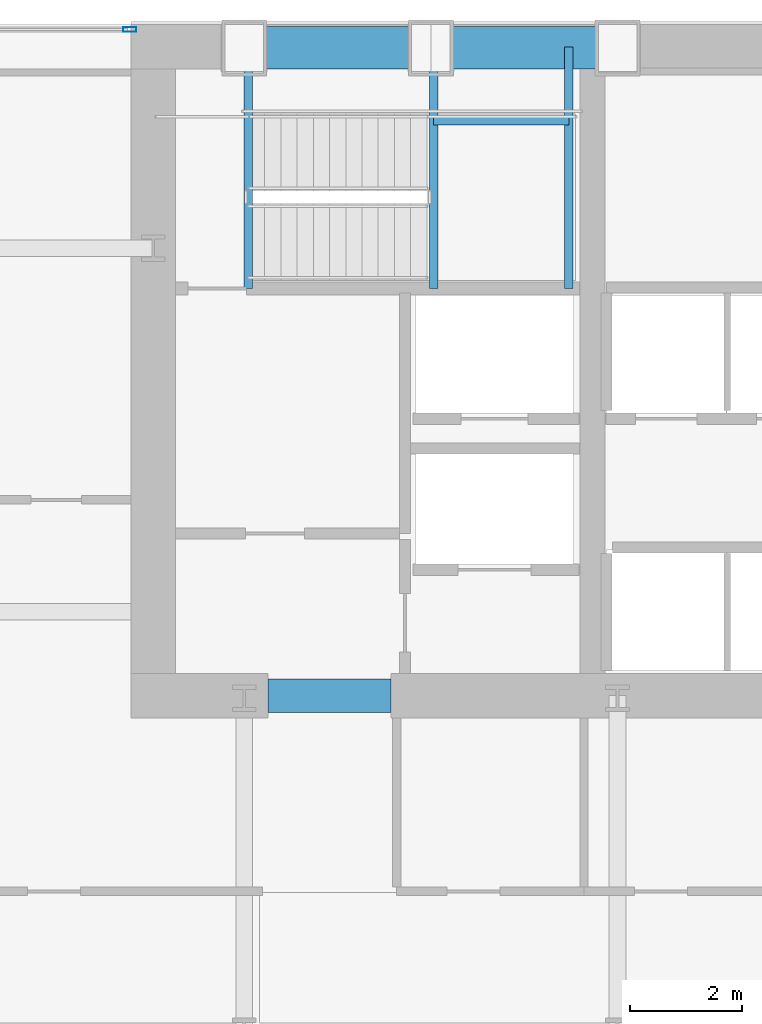
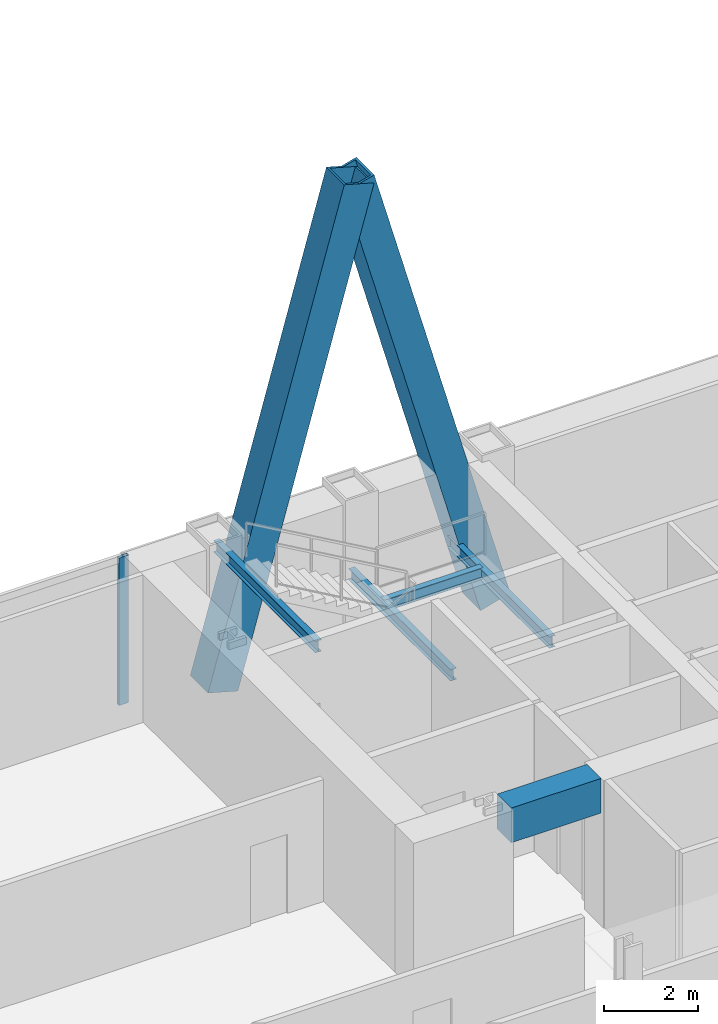
# One storey, part 18 of 37: 5 beams, 3 members, 1 element without a shape of its own.
"""IFC4 building model written with IfcOpenShell, lengths in metres."""

from ifc_helpers import new_model, si_unit, direction, frame, origin, origin_2d, place, context, subcontext, project, spatial, rectangle, hollow_rectangle, i_section, extrude, material, material_profile, profile_set, type_object, element, aggregate, save


model = new_model("IFC4")

# Units and contexts
model_context = context("Model", 3, precision=1e-05, world=origin(), true_north=direction((0.0, 1.0)))
body_context = subcontext(model_context, "Body", "Model", "MODEL_VIEW")
ifc_project = project(units=[si_unit("LENGTHUNIT", "METRE"), si_unit("AREAUNIT", "SQUARE_METRE"), si_unit("VOLUMEUNIT", "CUBIC_METRE"), si_unit("PLANEANGLEUNIT", "RADIAN"), si_unit("MASSUNIT", "GRAM", prefix="KILO")], contexts=[model_context])

# Site, building, storey
site_placement = place(None, origin())
site = spatial("IfcSite", under=ifc_project, at=site_placement, CompositionType="ELEMENT")
building_placement = place(site_placement, origin())
building = spatial("IfcBuilding", under=site, at=building_placement, Name="Khoronbel Lancet Exchange", CompositionType="ELEMENT")
storey_placement = place(building_placement, frame((0.0, 0.0, 61.800048828125)))
storey = spatial("IfcBuildingStorey", under=building, at=storey_placement, Name="L14", CompositionType="ELEMENT", Elevation=61.800048828125)

# Beams
ifc_material_1 = material(Name="Steel S355", Category="steel")
ifc_material_profile_1 = material_profile(ifc_material_1, i_section(OverallWidth=0.14990234375, OverallDepth=0.300048828125, WebThickness=0.007080078125, FlangeThickness=0.0107421875, at=origin_2d()), Name="IPE 300")
ifc_profile_set_1 = profile_set([ifc_material_profile_1], Name="Steel S355")
beam_type_1 = type_object("IfcBeamType", Name="BM-BJ8", PredefinedType="JOIST", material=ifc_profile_set_1)
for number, where, z_axis, x_axis, name in (
    (1, (21.610107421875, 48.97998046875, 1.64990234375), (0.0, 1.0, 0.0), (-1.0, 0.0, 0.0), "Level L14 stair ST1 landing bearer beam 1"),
    (2, (24.030029296875, 48.97998046875, 1.64990234375), (0.0, 1.0, 0.0), (-1.0, 0.0, 0.0), "Level L14 stair ST1 rear landing bearer beam 1"),
):
    element("IfcBeam", number, at=place(storey_placement, frame(where, z_axis=z_axis, x_axis=x_axis)), inside=storey, type_object=beam_type_1, Name=name, PredefinedType="JOIST", context=body_context, shape_type="SweptSolid", body=[
        extrude(i_section(OverallWidth=0.14990234375, OverallDepth=0.300048828125, WebThickness=0.007080078125, FlangeThickness=0.0107421875, at=origin_2d()), origin(), (0.0, 0.0, 1.0), 4.320068359375),
    ])
beam_1_placement = place(storey_placement, frame((21.610107421875, 51.97998046875, 1.64990234375), z_axis=(1.0, 0.0, 0.0), x_axis=(0.0, 1.0, 0.0)))
element("IfcBeam", 3, at=beam_1_placement, inside=storey, type_object=beam_type_1, Name="Level L14 stair ST1 landing cross trimmer beam 1", PredefinedType="JOIST", context=body_context, shape_type="SweptSolid", body=[
    extrude(i_section(OverallWidth=0.14990234375, OverallDepth=0.300048828125, WebThickness=0.007080078125, FlangeThickness=0.0107421875, at=origin_2d()), origin(), (0.0, 0.0, 1.0), 2.419921875),
])
beam_2_placement = place(storey_placement, frame((18.300048828125, 48.97998046875, 3.5400390625), z_axis=(0.0, 1.0, 0.0), x_axis=(-1.0, 0.0, 0.0)))
element("IfcBeam", 4, at=beam_2_placement, inside=storey, type_object=beam_type_1, Name="Level L14 stair ST1 upper-flight arrival trimmer beam", PredefinedType="JOIST", context=body_context, shape_type="SweptSolid", body=[
    extrude(i_section(OverallWidth=0.14990234375, OverallDepth=0.300048828125, WebThickness=0.007080078125, FlangeThickness=0.0107421875, at=origin_2d()), origin(), (0.0, 0.0, 1.0), 4.320068359375),
])
ifc_material_2 = material(Name="Concrete C80/95", Category="concrete")
ifc_material_profile_2 = material_profile(ifc_material_2, rectangle(XDim=0.60009765625, YDim=0.89990234375, at=origin_2d()), Name="RC 600x900")
ifc_profile_set_2 = profile_set([ifc_material_profile_2], Name="Concrete C80/95")
beam_type_2 = type_object("IfcBeamType", Name="BM-BL1", PredefinedType="LINTEL", material=ifc_profile_set_2)
beam_3_placement = place(storey_placement, frame((18.64990234375, 41.699951171875, 3.369873046875), z_axis=(1.0, 0.0, 0.0), x_axis=(0.0, 1.0, 0.0)))
element("IfcBeam", 5, at=beam_3_placement, inside=storey, type_object=beam_type_2, Name="Level L14 rear core coupling lintel L1", PredefinedType="LINTEL", context=body_context, shape_type="SweptSolid", body=[
    extrude(rectangle(XDim=0.60009765625, YDim=0.89990234375, at=origin_2d()), origin(), (0.0, 0.0, 1.0), 2.2001953125),
])

# Curtain wall, member
ifc_material_3 = material(Name="Low-E Solar Control Insulating Glass", Category="glass")
curtain_wall_type = type_object("IfcCurtainWallType", Name="CW-1", PredefinedType="NOTDEFINED", material=ifc_material_3)
curtain_wall_placement = place(storey_placement, origin())
curtain_wall = element("IfcCurtainWall", 6, at=curtain_wall_placement, inside=storey, type_object=curtain_wall_type, Name="Unitised curtain wall CW-L14-NWFLK", PredefinedType="NOTDEFINED")
ifc_material_4 = material(Name="Bronze-Anodised Aluminium 6063-T6", Category="aluminium")
ifc_material_profile_3 = material_profile(ifc_material_4, hollow_rectangle(XDim=0.0849609375, YDim=0.239990234375, WallThickness=0.006103515625, at=origin_2d()), Name="ALU MULLION 85x240")
ifc_profile_set_3 = profile_set([ifc_material_profile_3], Name="Bronze-Anodised Aluminium 6063-T6")
member_type_1 = type_object("IfcMemberType", Name="MEM-CWM1", PredefinedType="MULLION", material=ifc_profile_set_3)
member_placement = place(storey_placement, frame((16.177490234375, 53.610107421875, 0.0), z_axis=(0.0, 0.0, 1.0), x_axis=(0.0, -1.0, 0.0)))
member = element("IfcMember", 7, at=member_placement, type_object=member_type_1, Name="CW1 mullion 1", PredefinedType="MULLION", context=body_context, shape_type="SweptSolid", body=[
    extrude(hollow_rectangle(XDim=0.0849609375, YDim=0.239990234375, WallThickness=0.006103515625, at=origin_2d()), origin(), (0.0, 0.0, 1.0), 3.820068359375),
])
aggregate(curtain_wall, [member])

# Members
ifc_material_5 = material(Name="Steel S460", Category="steel")
ifc_material_profile_4 = material_profile(ifc_material_5, hollow_rectangle(XDim=0.760009765625, YDim=0.760009765625, WallThickness=0.054931640625, at=origin_2d()), Name="BOX 760x760x55")
ifc_profile_set_4 = profile_set([ifc_material_profile_4], Name="Steel S460")
member_type_2 = type_object("IfcMemberType", Name="MEM-MB1", PredefinedType="BRACE", material=ifc_profile_set_4)
for number, where, z_axis, x_axis, name in (
    (8, (18.22509765625, 53.280029296875, 0.0), (0.267947134133, 0.0, 0.963433616452), (0.0, 1.0, 0.0), "Perimeter lancet brace tier 4 N-W-L"),
    (9, (24.89990234375, 53.280029296875, 0.0), (-0.267947134133, 0.0, 0.963433616452), (0.0, -1.0, 0.0), "Perimeter lancet brace tier 4 N-W-R"),
):
    element("IfcMember", number, at=place(storey_placement, frame(where, z_axis=z_axis, x_axis=x_axis)), inside=storey, type_object=member_type_2, Name=name, PredefinedType="BRACE", context=body_context, shape_type="SweptSolid", body=[
        extrude(hollow_rectangle(XDim=0.760009765625, YDim=0.760009765625, WallThickness=0.054931640625, at=origin_2d()), origin(), (0.0, 0.0, 1.0), 12.45556640625),
    ])

save(model, "model.ifc")
